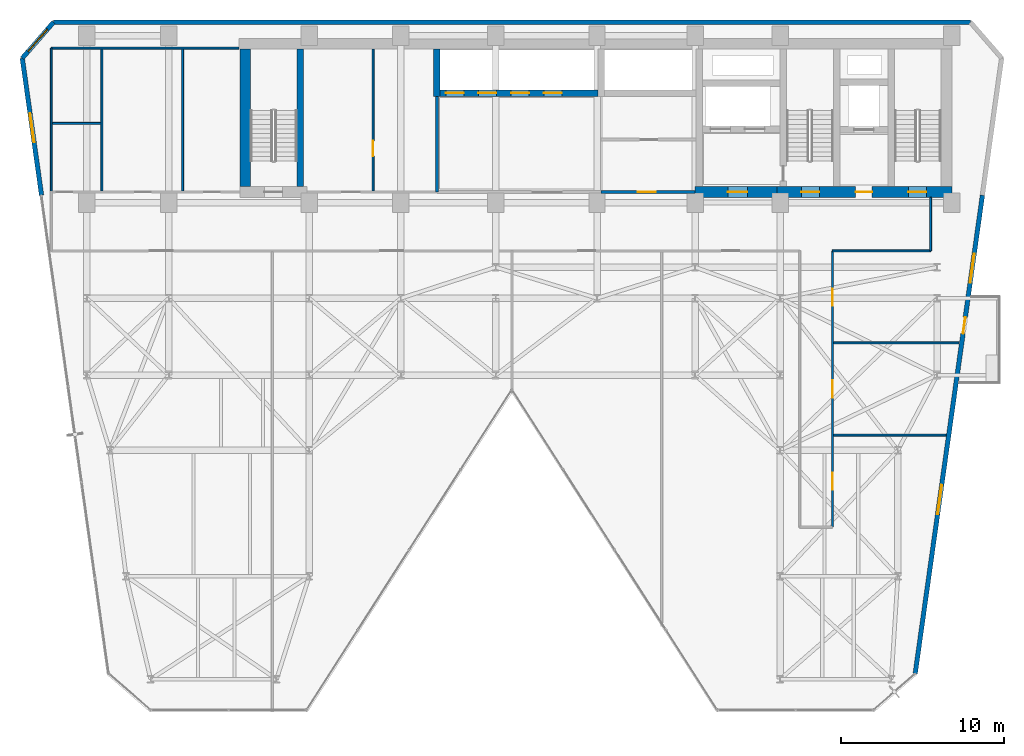
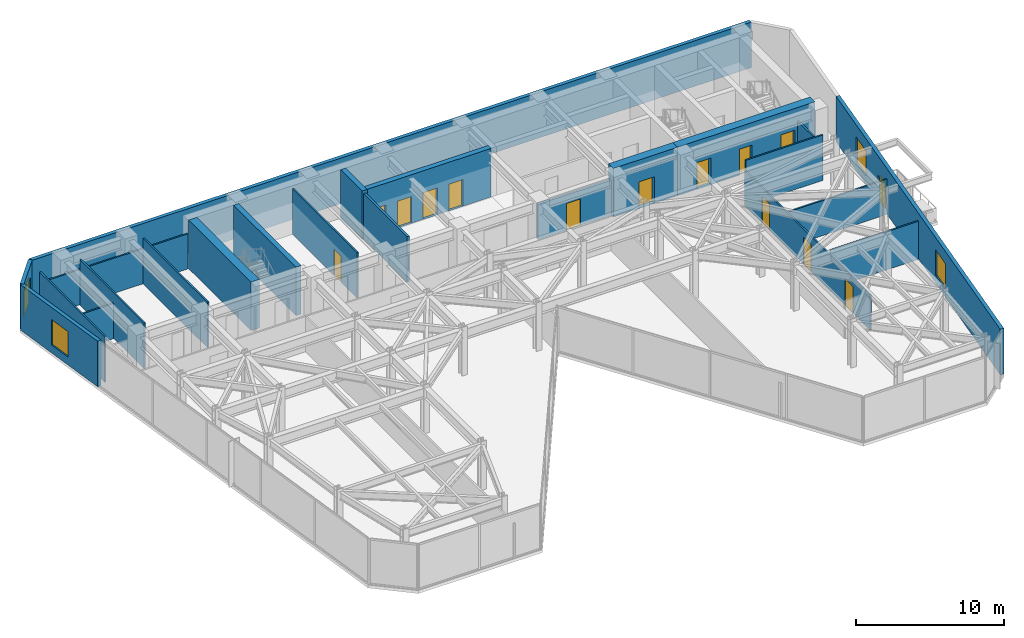
# One storey, part 22 of 26: 23 walls, 14 doors, 4 windows, 18 openings.
"""IFC4 building model written with IfcOpenShell, lengths in metres."""

from ifc_helpers import new_model, si_unit, direction, frame, frame_2d, origin, place, context, subcontext, project, spatial, rectangle, extrude, material, layer, layer_set, type_object, element, fill, save


model = new_model("IFC4")

# Units and contexts
model_context = context("Model", 3, precision=1e-05, world=origin(), true_north=direction((0.0, 1.0)))
body_context = subcontext(model_context, "Body", "Model", "MODEL_VIEW")
ifc_project = project(units=[si_unit("LENGTHUNIT", "METRE"), si_unit("AREAUNIT", "SQUARE_METRE"), si_unit("VOLUMEUNIT", "CUBIC_METRE"), si_unit("PLANEANGLEUNIT", "RADIAN"), si_unit("MASSUNIT", "GRAM", prefix="KILO")], contexts=[model_context])

# Site, building, storey
site_placement = place(None, origin())
site = spatial("IfcSite", under=ifc_project, at=site_placement, CompositionType="ELEMENT")
building_placement = place(site_placement, origin())
building = spatial("IfcBuilding", under=site, at=building_placement, Name="Kravanh Interchange Tower", CompositionType="ELEMENT")
storey_placement = place(building_placement, frame((0.0, 0.0, 108.0)))
storey = spatial("IfcBuildingStorey", under=building, at=storey_placement, Name="L25", CompositionType="ELEMENT", Elevation=108.0)

# Wall, opening, door
ifc_material_1 = material(Name="Double Acoustic Gypsum Board and Mineral Wool")
ifc_layer_1 = layer(ifc_material_1, 0.1201171875)
ifc_layer_set_1 = layer_set([ifc_layer_1], Name="Acoustic Office Drywall Partition 120mm")
wall_type_1 = type_object("IfcWallType", Name="Acoustic Office Drywall Partition 120mm", PredefinedType="PARTITIONING", material=ifc_layer_set_1)
wall_1_placement = place(storey_placement, frame((31.10009765625, 38.068115234375, 0.0), z_axis=(0.0, 0.0, 1.0), x_axis=(0.0, 1.0, 0.0)))
wall_1 = element("IfcWall", 1, at=wall_1_placement, inside=storey, type_object=wall_type_1, Name="L25 Interior Partition 5", PredefinedType="PARTITIONING", context=body_context, shape_type="SweptSolid", body=[
    extrude(rectangle(XDim=8.673828125, YDim=0.1201171875, at=frame_2d((4.3369140625, 0.0))), origin(), (0.0, 0.0, 1.0), 3.75),
])
opening_1_placement = place(wall_1_placement, frame((2.115966796875, 0.0, 0.0)))
opening_1 = element("IfcOpeningElement", 2, at=opening_1_placement, cuts=wall_1, Name="Opening D-95", PredefinedType="OPENING", context=body_context, shape_type="SweptSolid", body=[
    extrude(rectangle(XDim=0.949951171875, YDim=2.14990234375, at=frame_2d((0.47509765625, 1.074951171875))), frame((0.0, 0.070068359375, 0.0), z_axis=(0.0, -1.0, 0.0), x_axis=(1.0, 0.0, 0.0)), (0.0, 0.0, 1.0), 0.14013671875),
])
ifc_material_2 = material(Name="Laminate Solid-Core Timber", Category="wood")
door_type_1 = type_object("IfcDoorType", Name="Accessible Restroom Door 950x2150", OperationType="NOTDEFINED", PredefinedType="DOOR", material=ifc_material_2)
door_1_placement = place(opening_1_placement, origin())
door_1 = element("IfcDoor", 3, at=door_1_placement, inside=storey, type_object=door_type_1, Name="L25 Reclaimed Archive Inner Door", OperationType="SINGLE_SWING_LEFT", OverallHeight=2.14990234375, OverallWidth=0.949951171875, PredefinedType="DOOR", context=body_context, shape_type="SweptSolid", body=[
    extrude(rectangle(XDim=0.949951171875, YDim=2.14990234375, at=frame_2d((0.47509765625, 1.074951171875))), frame((0.0, 0.02490234375, 0.0), z_axis=(0.0, -1.0, 0.0), x_axis=(1.0, 0.0, 0.0)), (0.0, 0.0, 1.0), 0.050048828125),
])
fill(opening_1, door_1)

# Walls
wall_2_placement = place(storey_placement, frame((11.419921875, 38.0, 0.0), z_axis=(0.0, 0.0, 1.0), x_axis=(0.0, 1.0, 0.0)))
element("IfcWall", 4, at=wall_2_placement, inside=storey, type_object=wall_type_1, Name="L25 Restroom West Enclosure 8", PredefinedType="PARTITIONING", context=body_context, shape_type="SweptSolid", body=[
    extrude(rectangle(XDim=8.800048828125, YDim=0.1201171875, at=frame_2d((4.39990234375, 0.0))), origin(), (0.0, 0.0, 1.0), 3.75),
])
wall_3_placement = place(storey_placement, frame((11.419921875, 46.800048828125, 0.0), z_axis=(0.0, 0.0, 1.0), x_axis=(1.0, 0.0, 0.0)))
element("IfcWall", 5, at=wall_3_placement, inside=storey, type_object=wall_type_1, Name="L25 Restroom North Enclosure 9", PredefinedType="PARTITIONING", context=body_context, shape_type="SweptSolid", body=[
    extrude(rectangle(XDim=11.47998046875, YDim=0.1201171875, at=frame_2d((5.739990234375, 0.0))), origin(), (0.0, 0.0, 1.0), 2.89404296875),
])
for number, where, z_axis, x_axis, name in (
    (6, (14.52001953125, 38.068115234375, 0.0), (0.0, 0.0, 1.0), (0.0, 1.0, 0.0), "L25 Interior Partition 10"),
    (7, (19.449951171875, 38.068115234375, 0.0), (0.0, 0.0, 1.0), (0.0, 1.0, 0.0), "L25 Interior Partition 11"),
):
    element("IfcWall", number, at=place(storey_placement, frame(where, z_axis=z_axis, x_axis=x_axis)), inside=storey, type_object=wall_type_1, Name=name, PredefinedType="PARTITIONING", context=body_context, shape_type="SweptSolid", body=[
        extrude(rectangle(XDim=8.663818359375, YDim=0.1201171875, at=frame_2d((4.33203125, 0.0))), origin(), (0.0, 0.0, 1.0), 3.75),
    ])
wall_4_placement = place(storey_placement, frame((11.488037109375, 42.199951171875, 0.0), z_axis=(0.0, 0.0, 1.0), x_axis=(1.0, 0.0, 0.0)))
element("IfcWall", 8, at=wall_4_placement, inside=storey, type_object=wall_type_1, Name="L25 Interior Partition 12", PredefinedType="PARTITIONING", context=body_context, shape_type="SweptSolid", body=[
    extrude(rectangle(XDim=2.9638671875, YDim=0.1201171875, at=frame_2d((1.48193359375, 0.0))), origin(), (0.0, 0.0, 1.0), 2.89404296875),
])
wall_5_placement = place(storey_placement, frame((59.199951171875, 34.39990234375, 0.0), z_axis=(0.0, 0.0, 1.0), x_axis=(1.0, 0.0, 0.0)))
element("IfcWall", 9, at=wall_5_placement, inside=storey, type_object=wall_type_1, Name="L25 Interior Partition 15", PredefinedType="PARTITIONING", context=body_context, shape_type="SweptSolid", body=[
    extrude(rectangle(XDim=6.0, YDim=0.1201171875, at=frame_2d((3.0, 0.0))), origin(), (0.0, 0.0, 1.0), 3.75),
])
wall_6_placement = place(storey_placement, frame((65.199951171875, 34.39990234375, 0.0), z_axis=(0.0, 0.0, 1.0), x_axis=(0.0, 1.0, 0.0)))
element("IfcWall", 10, at=wall_6_placement, inside=storey, type_object=wall_type_1, Name="L25 Interior Partition 17", PredefinedType="PARTITIONING", context=body_context, shape_type="SweptSolid", body=[
    extrude(rectangle(XDim=3.26708984375, YDim=0.1201171875, at=frame_2d((1.633544921875, 0.0))), origin(), (0.0, 0.0, 1.0), 2.89404296875),
])

# Wall, openings, doors
wall_7_placement = place(storey_placement, frame((59.199951171875, 17.5, 0.0), z_axis=(0.0, 0.0, 1.0), x_axis=(0.0, 1.0, 0.0)))
wall_7 = element("IfcWall", 11, at=wall_7_placement, inside=storey, type_object=wall_type_1, Name="L25 Interior Partition 19", PredefinedType="PARTITIONING", context=body_context, shape_type="SweptSolid", body=[
    extrude(rectangle(XDim=16.89990234375, YDim=0.1201171875, at=frame_2d((8.449951171875, 0.0))), origin(), (0.0, 0.0, 1.0), 2.89404296875),
])
opening_2_placement = place(wall_7_placement, frame((2.2900390625, 0.0, 0.0)))
opening_2 = element("IfcOpeningElement", 12, at=opening_2_placement, cuts=wall_7, Name="Opening D-105", PredefinedType="OPENING", context=body_context, shape_type="SweptSolid", body=[
    extrude(rectangle(XDim=1.050048828125, YDim=2.199951171875, at=frame_2d((0.52490234375, 1.10009765625))), frame((0.0, 0.070068359375, 0.0), z_axis=(0.0, -1.0, 0.0), x_axis=(1.0, 0.0, 0.0)), (0.0, 0.0, 1.0), 0.14013671875),
])
opening_3_placement = place(wall_7_placement, frame((7.925048828125, 0.0, 0.0)))
opening_3 = element("IfcOpeningElement", 13, at=opening_3_placement, cuts=wall_7, Name="Opening D-105", PredefinedType="OPENING", context=body_context, shape_type="SweptSolid", body=[
    extrude(rectangle(XDim=1.050048828125, YDim=2.199951171875, at=frame_2d((0.52490234375, 1.10009765625))), frame((0.0, 0.070068359375, 0.0), z_axis=(0.0, -1.0, 0.0), x_axis=(1.0, 0.0, 0.0)), (0.0, 0.0, 1.0), 0.14013671875),
])
opening_4_placement = place(wall_7_placement, frame((13.534912109375, 0.0, 0.0)))
opening_4 = element("IfcOpeningElement", 14, at=opening_4_placement, cuts=wall_7, Name="Opening D-105", PredefinedType="OPENING", context=body_context, shape_type="SweptSolid", body=[
    extrude(rectangle(XDim=1.050048828125, YDim=2.199951171875, at=frame_2d((0.52490234375, 1.10009765625))), frame((0.0, 0.070068359375, 0.0), z_axis=(0.0, -1.0, 0.0), x_axis=(1.0, 0.0, 0.0)), (0.0, 0.0, 1.0), 0.14013671875),
])
ifc_material_3 = material(Name="Acoustic Glazed Oak and Aluminium", Category="aluminium")
door_type_2 = type_object("IfcDoorType", Name="Office Workplace Door 1050x2200", OperationType="NOTDEFINED", PredefinedType="DOOR", material=ifc_material_3)
door_2_placement = place(opening_2_placement, origin())
door_2 = element("IfcDoor", 15, at=door_2_placement, inside=storey, type_object=door_type_2, Name="L25 SE Huddle Meeting C Door", OperationType="SINGLE_SWING_LEFT", OverallHeight=2.199951171875, OverallWidth=1.050048828125, PredefinedType="DOOR", context=body_context, shape_type="SweptSolid", body=[
    extrude(rectangle(XDim=1.050048828125, YDim=2.199951171875, at=frame_2d((0.52490234375, 1.10009765625))), frame((0.0, 0.02490234375, 0.0), z_axis=(0.0, -1.0, 0.0), x_axis=(1.0, 0.0, 0.0)), (0.0, 0.0, 1.0), 0.050048828125),
])
fill(opening_2, door_2)
door_3_placement = place(opening_3_placement, origin())
door_3 = element("IfcDoor", 16, at=door_3_placement, inside=storey, type_object=door_type_2, Name="L25 East Balcony Office Door", OperationType="SINGLE_SWING_RIGHT", OverallHeight=2.199951171875, OverallWidth=1.050048828125, PredefinedType="DOOR", context=body_context, shape_type="SweptSolid", body=[
    extrude(rectangle(XDim=1.050048828125, YDim=2.199951171875, at=frame_2d((0.52490234375, 1.10009765625))), frame((0.0, 0.02490234375, 0.0), z_axis=(0.0, -1.0, 0.0), x_axis=(1.0, 0.0, 0.0)), (0.0, 0.0, 1.0), 0.050048828125),
])
fill(opening_3, door_3)
door_4_placement = place(opening_4_placement, origin())
door_4 = element("IfcDoor", 17, at=door_4_placement, inside=storey, type_object=door_type_2, Name="L25 Pantry Kitchenette Door", OperationType="SINGLE_SWING_LEFT", OverallHeight=2.199951171875, OverallWidth=1.050048828125, PredefinedType="DOOR", context=body_context, shape_type="SweptSolid", body=[
    extrude(rectangle(XDim=1.050048828125, YDim=2.199951171875, at=frame_2d((0.52490234375, 1.10009765625))), frame((0.0, 0.02490234375, 0.0), z_axis=(0.0, -1.0, 0.0), x_axis=(1.0, 0.0, 0.0)), (0.0, 0.0, 1.0), 0.050048828125),
])
fill(opening_4, door_4)

# Walls
wall_8_placement = place(storey_placement, frame((59.26806640625, 23.1298828125, 0.0), z_axis=(0.0, 0.0, 1.0), x_axis=(1.0, 0.0, 0.0)))
element("IfcWall", 18, at=wall_8_placement, inside=storey, type_object=wall_type_1, Name="L25 Interior Partition 21", PredefinedType="PARTITIONING", context=body_context, shape_type="SweptSolid", body=[
    extrude(rectangle(XDim=6.87841796875, YDim=0.1201171875, at=frame_2d((3.439208984375, 0.0))), origin(), (0.0, 0.0, 1.0), 3.14208984375),
])
wall_9_placement = place(storey_placement, frame((59.26806640625, 28.77001953125, 0.0), z_axis=(0.0, 0.0, 1.0), x_axis=(1.0, 0.0, 0.0)))
element("IfcWall", 19, at=wall_9_placement, inside=storey, type_object=wall_type_1, Name="L25 Interior Partition 22", PredefinedType="PARTITIONING", context=body_context, shape_type="SweptSolid", body=[
    extrude(rectangle(XDim=7.671142578125, YDim=0.1201171875, at=frame_2d((3.83544921875, 0.0))), origin(), (0.0, 0.0, 1.0), 2.89404296875),
])

# Wall, openings, doors
ifc_material_4 = material(Name="Concrete C70/85", Category="concrete")
ifc_layer_2 = layer(ifc_material_4, 0.64990234375)
ifc_layer_set_2 = layer_set([ifc_layer_2], Name="Core Shear Wall Concrete C70/85 650mm")
wall_type_2 = type_object("IfcWallType", Name="Core Shear Wall Concrete C70/85 650mm", PredefinedType="SHEAR", material=ifc_layer_set_2)
wall_10_placement = place(storey_placement, frame((55.800048828125, 38.0, 0.0), z_axis=(0.0, 0.0, 1.0), x_axis=(1.0, 0.0, 0.0)))
wall_10 = element("IfcWall", 20, at=wall_10_placement, inside=storey, type_object=wall_type_2, Name="L25 East Core South Shear Wall", PredefinedType="SHEAR", context=body_context, shape_type="SweptSolid", body=[
    extrude(rectangle(XDim=10.699951171875, YDim=0.64990234375, at=frame_2d((5.35009765625, 0.0))), origin(), (0.0, 0.0, 1.0), 4.0),
])
opening_5_placement = place(wall_10_placement, frame((1.5, 0.0, 0.0)))
opening_5 = element("IfcOpeningElement", 21, at=opening_5_placement, cuts=wall_10, Name="Opening D-STAIR-110", PredefinedType="OPENING", context=body_context, shape_type="SweptSolid", body=[
    extrude(rectangle(XDim=1.10009765625, YDim=2.199951171875, at=frame_2d((0.550048828125, 1.10009765625))), frame((0.0, 0.3349609375, 0.0), z_axis=(0.0, -1.0, 0.0), x_axis=(1.0, 0.0, 0.0)), (0.0, 0.0, 1.0), 0.669921875),
])
opening_6_placement = place(wall_10_placement, frame((4.820068359375, 0.0, 0.0)))
opening_6 = element("IfcOpeningElement", 22, at=opening_6_placement, cuts=wall_10, Name="Opening D-HOTEL-100", PredefinedType="OPENING", context=body_context, shape_type="SweptSolid", body=[
    extrude(rectangle(XDim=1.0, YDim=2.14990234375, at=frame_2d((0.5, 1.074951171875))), frame((0.0, 0.3349609375, 0.0), z_axis=(0.0, -1.0, 0.0), x_axis=(1.0, 0.0, 0.0)), (0.0, 0.0, 1.0), 0.669921875),
])
opening_7_placement = place(wall_10_placement, frame((8.050048828125, 0.0, 0.0)))
opening_7 = element("IfcOpeningElement", 23, at=opening_7_placement, cuts=wall_10, Name="Opening D-STAIR-110", PredefinedType="OPENING", context=body_context, shape_type="SweptSolid", body=[
    extrude(rectangle(XDim=1.10009765625, YDim=2.199951171875, at=frame_2d((0.550048828125, 1.10009765625))), frame((0.0, 0.3349609375, 0.0), z_axis=(0.0, -1.0, 0.0), x_axis=(1.0, 0.0, 0.0)), (0.0, 0.0, 1.0), 0.669921875),
])
ifc_material_5 = material(Name="Structural Steel S355", Category="steel")
door_type_3 = type_object("IfcDoorType", Name="Fire-Rated Exit Stair Door 1100x2200", OperationType="NOTDEFINED", PredefinedType="DOOR", material=ifc_material_5)
door_5_placement = place(opening_5_placement, origin())
door_5 = element("IfcDoor", 24, at=door_5_placement, inside=storey, type_object=door_type_3, Name="L25 Exit Stair ST2 Door", OperationType="SINGLE_SWING_RIGHT", OverallHeight=2.199951171875, OverallWidth=1.10009765625, PredefinedType="DOOR", context=body_context, shape_type="SweptSolid", body=[
    extrude(rectangle(XDim=1.10009765625, YDim=2.199951171875, at=frame_2d((0.550048828125, 1.10009765625))), frame((0.0, 0.02490234375, 0.0), z_axis=(0.0, -1.0, 0.0), x_axis=(1.0, 0.0, 0.0)), (0.0, 0.0, 1.0), 0.050048828125),
])
fill(opening_5, door_5)
door_6_placement = place(opening_7_placement, origin())
door_6 = element("IfcDoor", 25, at=door_6_placement, inside=storey, type_object=door_type_3, Name="L25 Exit Stair ST1 Door", OperationType="SINGLE_SWING_RIGHT", OverallHeight=2.199951171875, OverallWidth=1.10009765625, PredefinedType="DOOR", context=body_context, shape_type="SweptSolid", body=[
    extrude(rectangle(XDim=1.10009765625, YDim=2.199951171875, at=frame_2d((0.550048828125, 1.10009765625))), frame((0.0, 0.02490234375, 0.0), z_axis=(0.0, -1.0, 0.0), x_axis=(1.0, 0.0, 0.0)), (0.0, 0.0, 1.0), 0.050048828125),
])
fill(opening_7, door_6)
ifc_material_6 = material(Name="Fire-Rated Solid Timber Leaf", Category="wood")
door_type_4 = type_object("IfcDoorType", Name="Fire-Rated Suite Entrance Door 1000x2150", OperationType="NOTDEFINED", PredefinedType="DOOR", material=ifc_material_6)
door_7_placement = place(opening_6_placement, origin())
door_7 = element("IfcDoor", 26, at=door_7_placement, inside=storey, type_object=door_type_4, Name="L25 Service Lift Lobby Door", OperationType="SINGLE_SWING_RIGHT", OverallHeight=2.14990234375, OverallWidth=1.0, PredefinedType="DOOR", context=body_context, shape_type="SweptSolid", body=[
    extrude(rectangle(XDim=1.0, YDim=2.14990234375, at=frame_2d((0.5, 1.074951171875))), frame((0.0, 0.02490234375, 0.0), z_axis=(0.0, -1.0, 0.0), x_axis=(1.0, 0.0, 0.0)), (0.0, 0.0, 1.0), 0.050048828125),
])
fill(opening_6, door_7)

# Wall, opening, door
wall_11_placement = place(storey_placement, frame((50.800048828125, 38.0, 0.0), z_axis=(0.0, 0.0, 1.0), x_axis=(1.0, 0.0, 0.0)))
wall_11 = element("IfcWall", 27, at=wall_11_placement, inside=storey, type_object=wall_type_2, Name="L25 Firefighting Lobby South Shear Wall", PredefinedType="SHEAR", context=body_context, shape_type="SweptSolid", body=[
    extrude(rectangle(XDim=5.0, YDim=0.64990234375, at=frame_2d((2.5, 0.0))), origin(), (0.0, 0.0, 1.0), 4.0),
])
opening_8_placement = place(wall_11_placement, frame((2.0, 0.0, 0.0)))
opening_8 = element("IfcOpeningElement", 28, at=opening_8_placement, cuts=wall_11, Name="Opening D-FSAE-120", PredefinedType="OPENING", context=body_context, shape_type="SweptSolid", body=[
    extrude(rectangle(XDim=1.199951171875, YDim=2.199951171875, at=frame_2d((0.60009765625, 1.10009765625))), frame((0.0, 0.3349609375, 0.0), z_axis=(0.0, -1.0, 0.0), x_axis=(1.0, 0.0, 0.0)), (0.0, 0.0, 1.0), 0.669921875),
])
ifc_material_7 = material(Name="Structural Steel S355", Category="steel")
door_type_5 = type_object("IfcDoorType", Name="Fire-Rated Refuge and FSAE Door 1200x2200", OperationType="NOTDEFINED", PredefinedType="DOOR", material=ifc_material_7)
door_8_placement = place(opening_8_placement, origin())
door_8 = element("IfcDoor", 29, at=door_8_placement, inside=storey, type_object=door_type_5, Name="L25 Firefighting Lobby Corridor Door", OperationType="SINGLE_SWING_RIGHT", OverallHeight=2.199951171875, OverallWidth=1.199951171875, PredefinedType="DOOR", context=body_context, shape_type="SweptSolid", body=[
    extrude(rectangle(XDim=1.199951171875, YDim=2.199951171875, at=frame_2d((0.60009765625, 1.10009765625))), frame((0.0, 0.02490234375, 0.0), z_axis=(0.0, -1.0, 0.0), x_axis=(1.0, 0.0, 0.0)), (0.0, 0.0, 1.0), 0.050048828125),
])
fill(opening_8, door_8)

# Wall
wall_12_placement = place(storey_placement, frame((23.27490234375, 38.324951171875, 0.0), z_axis=(0.0, 0.0, 1.0), x_axis=(0.0, 1.0, 0.0)))
element("IfcWall", 30, at=wall_12_placement, inside=storey, type_object=wall_type_2, Name="L25 Stair ST3 West Shear Wall", PredefinedType="SHEAR", context=body_context, shape_type="SweptSolid", body=[
    extrude(rectangle(XDim=8.425048828125, YDim=0.64990234375, at=frame_2d((4.21240234375, 0.0))), origin(), (0.0, 0.0, 1.0), 4.0),
])

# Wall, openings, doors
ifc_material_8 = material(Name="Concrete C80/95", Category="concrete")
ifc_layer_3 = layer(ifc_material_8, 0.39990234375)
ifc_layer_set_3 = layer_set([ifc_layer_3], Name="Core Shear Wall Concrete C80/95 400mm")
wall_type_3 = type_object("IfcWallType", Name="Core Shear Wall Concrete C80/95 400mm", PredefinedType="SHEAR", material=ifc_layer_set_3)
wall_13_placement = place(storey_placement, frame((35.199951171875, 44.050048828125, 0.0), z_axis=(0.0, 0.0, 1.0), x_axis=(1.0, 0.0, 0.0)))
wall_13 = element("IfcWall", 31, at=wall_13_placement, inside=storey, type_object=wall_type_3, Name="L25 Mid-Rise Lift Shaft South Wall", PredefinedType="SHEAR", context=body_context, shape_type="SweptSolid", body=[
    extrude(rectangle(XDim=9.650146484375, YDim=0.39990234375, at=frame_2d((4.8251953125, 0.0))), origin(), (0.0, 0.0, 1.0), 4.0),
])
opening_9_placement = place(wall_13_placement, frame((0.35009765625, 0.0, 0.0)))
opening_9 = element("IfcOpeningElement", 32, at=opening_9_placement, cuts=wall_13, Name="Opening LD01", PredefinedType="OPENING", context=body_context, shape_type="SweptSolid", body=[
    extrude(rectangle(XDim=1.10009765625, YDim=2.199951171875, at=frame_2d((0.550048828125, 1.10009765625))), frame((0.0, 0.2099609375, 0.0), z_axis=(0.0, -1.0, 0.0), x_axis=(1.0, 0.0, 0.0)), (0.0, 0.0, 1.0), 0.419921875),
])
opening_10_placement = place(wall_13_placement, frame((2.35009765625, 0.0, 0.0)))
opening_10 = element("IfcOpeningElement", 33, at=opening_10_placement, cuts=wall_13, Name="Opening LD01", PredefinedType="OPENING", context=body_context, shape_type="SweptSolid", body=[
    extrude(rectangle(XDim=1.10009765625, YDim=2.199951171875, at=frame_2d((0.550048828125, 1.10009765625))), frame((0.0, 0.2099609375, 0.0), z_axis=(0.0, -1.0, 0.0), x_axis=(1.0, 0.0, 0.0)), (0.0, 0.0, 1.0), 0.419921875),
])
opening_11_placement = place(wall_13_placement, frame((4.35009765625, 0.0, 0.0)))
opening_11 = element("IfcOpeningElement", 34, at=opening_11_placement, cuts=wall_13, Name="Opening LD01", PredefinedType="OPENING", context=body_context, shape_type="SweptSolid", body=[
    extrude(rectangle(XDim=1.10009765625, YDim=2.199951171875, at=frame_2d((0.550048828125, 1.10009765625))), frame((0.0, 0.2099609375, 0.0), z_axis=(0.0, -1.0, 0.0), x_axis=(1.0, 0.0, 0.0)), (0.0, 0.0, 1.0), 0.419921875),
])
opening_12_placement = place(wall_13_placement, frame((6.35009765625, 0.0, 0.0)))
opening_12 = element("IfcOpeningElement", 35, at=opening_12_placement, cuts=wall_13, Name="Opening LD01", PredefinedType="OPENING", context=body_context, shape_type="SweptSolid", body=[
    extrude(rectangle(XDim=1.10009765625, YDim=2.199951171875, at=frame_2d((0.550048828125, 1.10009765625))), frame((0.0, 0.2099609375, 0.0), z_axis=(0.0, -1.0, 0.0), x_axis=(1.0, 0.0, 0.0)), (0.0, 0.0, 1.0), 0.419921875),
])
ifc_material_9 = material(Name="Stainless Steel 304", Category="steel")
door_type_6 = type_object("IfcDoorType", Name="Passenger Lift Sliding Landing Door 1100x2200", OperationType="DOUBLE_DOOR_SLIDING", PredefinedType="DOOR", material=ifc_material_9)
door_9_placement = place(opening_9_placement, origin())
door_9 = element("IfcDoor", 36, at=door_9_placement, inside=storey, type_object=door_type_6, Name="L25 Lift LP-M1 Landing Door", OperationType="DOUBLE_DOOR_SLIDING", OverallHeight=2.199951171875, OverallWidth=1.10009765625, PredefinedType="DOOR", context=body_context, shape_type="SweptSolid", body=[
    extrude(rectangle(XDim=1.10009765625, YDim=2.199951171875, at=frame_2d((0.550048828125, 1.10009765625))), frame((0.0, 0.02490234375, 0.0), z_axis=(0.0, -1.0, 0.0), x_axis=(1.0, 0.0, 0.0)), (0.0, 0.0, 1.0), 0.050048828125),
])
fill(opening_9, door_9)
door_10_placement = place(opening_10_placement, origin())
door_10 = element("IfcDoor", 37, at=door_10_placement, inside=storey, type_object=door_type_6, Name="L25 Lift LP-M2 Landing Door", OperationType="DOUBLE_DOOR_SLIDING", OverallHeight=2.199951171875, OverallWidth=1.10009765625, PredefinedType="DOOR", context=body_context, shape_type="SweptSolid", body=[
    extrude(rectangle(XDim=1.10009765625, YDim=2.199951171875, at=frame_2d((0.550048828125, 1.10009765625))), frame((0.0, 0.02490234375, 0.0), z_axis=(0.0, -1.0, 0.0), x_axis=(1.0, 0.0, 0.0)), (0.0, 0.0, 1.0), 0.050048828125),
])
fill(opening_10, door_10)
door_11_placement = place(opening_11_placement, origin())
door_11 = element("IfcDoor", 38, at=door_11_placement, inside=storey, type_object=door_type_6, Name="L25 Lift LP-M3 Landing Door", OperationType="DOUBLE_DOOR_SLIDING", OverallHeight=2.199951171875, OverallWidth=1.10009765625, PredefinedType="DOOR", context=body_context, shape_type="SweptSolid", body=[
    extrude(rectangle(XDim=1.10009765625, YDim=2.199951171875, at=frame_2d((0.550048828125, 1.10009765625))), frame((0.0, 0.02490234375, 0.0), z_axis=(0.0, -1.0, 0.0), x_axis=(1.0, 0.0, 0.0)), (0.0, 0.0, 1.0), 0.050048828125),
])
fill(opening_11, door_11)
door_12_placement = place(opening_12_placement, origin())
door_12 = element("IfcDoor", 39, at=door_12_placement, inside=storey, type_object=door_type_6, Name="L25 Lift LP-M4 Landing Door", OperationType="DOUBLE_DOOR_SLIDING", OverallHeight=2.199951171875, OverallWidth=1.10009765625, PredefinedType="DOOR", context=body_context, shape_type="SweptSolid", body=[
    extrude(rectangle(XDim=1.10009765625, YDim=2.199951171875, at=frame_2d((0.550048828125, 1.10009765625))), frame((0.0, 0.02490234375, 0.0), z_axis=(0.0, -1.0, 0.0), x_axis=(1.0, 0.0, 0.0)), (0.0, 0.0, 1.0), 0.050048828125),
])
fill(opening_12, door_12)

# Walls
wall_14_placement = place(storey_placement, frame((35.0, 43.85009765625, 0.0), z_axis=(0.0, 0.0, 1.0), x_axis=(0.0, 1.0, 0.0)))
element("IfcWall", 40, at=wall_14_placement, inside=storey, type_object=wall_type_3, Name="L25 Mid-Rise Lift Shaft West Wall", PredefinedType="SHEAR", context=body_context, shape_type="SweptSolid", body=[
    extrude(rectangle(XDim=2.89990234375, YDim=0.39990234375, at=frame_2d((1.449951171875, 0.0))), origin(), (0.0, 0.0, 1.0), 4.0),
])
wall_15_placement = place(storey_placement, frame((26.64990234375, 38.324951171875, 0.0), z_axis=(0.0, 0.0, 1.0), x_axis=(0.0, 1.0, 0.0)))
element("IfcWall", 41, at=wall_15_placement, inside=storey, type_object=wall_type_3, Name="L25 Stair ST3 East Shear Wall", PredefinedType="SHEAR", context=body_context, shape_type="SweptSolid", body=[
    extrude(rectangle(XDim=8.425048828125, YDim=0.39990234375, at=frame_2d((4.21240234375, 0.0))), origin(), (0.0, 0.0, 1.0), 4.0),
])

# Wall, opening, window
ifc_material_10 = material(Name="Insulated Precast Concrete C40/50 with Bronze Cladding", Category="concrete")
ifc_layer_4 = layer(ifc_material_10, 0.280029296875)
ifc_layer_set_4 = layer_set([ifc_layer_4], Name="Exterior Insulated Concrete C40/50 Bronze Spandrel Wall 280mm")
wall_type_4 = type_object("IfcWallType", Name="Exterior Insulated Concrete C40/50 Bronze Spandrel Wall 280mm", PredefinedType="STANDARD", material=ifc_layer_set_4)
wall_16_placement = place(storey_placement, frame((10.824951171875, 37.800048828125, 0.0), z_axis=(0.0, 0.0, 1.0), x_axis=(-0.139180610108, 0.990267013371, 0.0)))
wall_16 = element("IfcWall", 42, at=wall_16_placement, inside=storey, type_object=wall_type_4, Name="L25 Exterior Wall 1", PredefinedType="STANDARD", context=body_context, shape_type="SweptSolid", body=[
    extrude(rectangle(XDim=8.46728515625, YDim=0.280029296875, at=frame_2d((4.233642578125, 0.0))), origin(), (0.0, 0.0, 1.0), 3.75),
])
opening_13_placement = place(wall_16_placement, frame((3.273193359375, 0.0, 0.64990234375)))
opening_13 = element("IfcOpeningElement", 43, at=opening_13_placement, cuts=wall_16, Name="Opening WN-180X210", PredefinedType="OPENING", context=body_context, shape_type="SweptSolid", body=[
    extrude(rectangle(XDim=1.800048828125, YDim=2.10009765625, at=frame_2d((0.89990234375, 1.050048828125))), frame((0.0, 0.14990234375, 0.0), z_axis=(0.0, -1.0, 0.0), x_axis=(1.0, 0.0, 0.0)), (0.0, 0.0, 1.0), 0.300048828125),
])
ifc_material_11 = material(Name="Thermally Broken Bronze Aluminium and Low-E Glass", Category="aluminium")
window_type = type_object("IfcWindowType", Name="Tower Pier Window 1800x2100", PartitioningType="SINGLE_PANEL", PredefinedType="WINDOW", material=ifc_material_11)
window_1_placement = place(opening_13_placement, origin())
window_1 = element("IfcWindow", 44, at=window_1_placement, inside=storey, type_object=window_type, Name="L25 Corner Window 1", OverallHeight=2.10009765625, OverallWidth=1.800048828125, PartitioningType="SINGLE_PANEL", PredefinedType="WINDOW", context=body_context, shape_type="SweptSolid", body=[
    extrude(rectangle(XDim=1.800048828125, YDim=2.10009765625, at=frame_2d((0.89990234375, 1.050048828125))), frame((0.0, 0.030029296875, 0.0), z_axis=(0.0, -1.0, 0.0), x_axis=(1.0, 0.0, 0.0)), (0.0, 0.0, 1.0), 0.06005859375),
])
fill(opening_13, window_1)

wall_17_placement = place(storey_placement, frame((9.646484375, 46.184814453125, 0.0), z_axis=(0.0, 0.0, 1.0), x_axis=(0.656070644076, 0.754699483226, 0.0)))
wall_17 = element("IfcWall", 45, at=wall_17_placement, inside=storey, type_object=wall_type_4, Name="L25 Exterior Wall 2", PredefinedType="STANDARD", context=body_context, shape_type="SweptSolid", body=[
    extrude(rectangle(XDim=2.908447265625, YDim=0.280029296875, at=frame_2d((1.4541015625, 0.0))), origin(), (0.0, 0.0, 1.0), 3.75),
])
opening_14_placement = place(wall_17_placement, frame((0.541015625, 0.0, 0.64990234375)))
opening_14 = element("IfcOpeningElement", 46, at=opening_14_placement, cuts=wall_17, Name="Opening WN-180X210", PredefinedType="OPENING", context=body_context, shape_type="SweptSolid", body=[
    extrude(rectangle(XDim=1.800048828125, YDim=2.10009765625, at=frame_2d((0.89990234375, 1.050048828125))), frame((0.0, 0.14990234375, 0.0), z_axis=(0.0, -1.0, 0.0), x_axis=(1.0, 0.0, 0.0)), (0.0, 0.0, 1.0), 0.300048828125),
])
window_2_placement = place(opening_14_placement, origin())
window_2 = element("IfcWindow", 47, at=window_2_placement, inside=storey, type_object=window_type, Name="L25 Corner Window 2", OverallHeight=2.10009765625, OverallWidth=1.800048828125, PartitioningType="SINGLE_PANEL", PredefinedType="WINDOW", context=body_context, shape_type="SweptSolid", body=[
    extrude(rectangle(XDim=1.800048828125, YDim=2.10009765625, at=frame_2d((0.89990234375, 1.050048828125))), frame((0.0, 0.030029296875, 0.0), z_axis=(0.0, -1.0, 0.0), x_axis=(1.0, 0.0, 0.0)), (0.0, 0.0, 1.0), 0.06005859375),
])
fill(opening_14, window_2)

# Wall
wall_18_placement = place(storey_placement, frame((11.5546875, 48.3798828125, 0.0), z_axis=(0.0, 0.0, 1.0), x_axis=(1.0, 0.0, 0.0)))
element("IfcWall", 48, at=wall_18_placement, inside=storey, type_object=wall_type_4, Name="L25 Exterior Wall 3", PredefinedType="STANDARD", context=body_context, shape_type="SweptSolid", body=[
    extrude(rectangle(XDim=56.090576171875, YDim=0.280029296875, at=frame_2d((28.04541015625, 0.0))), origin(), (0.0, 0.0, 1.0), 3.75),
])

# Wall, openings, door, windows
wall_19_placement = place(storey_placement, frame((68.375, 37.800048828125, 0.0), z_axis=(0.0, 0.0, 1.0), x_axis=(-0.13917001236, -0.990268502811, 0.0)))
wall_19 = element("IfcWall", 49, at=wall_19_placement, inside=storey, type_object=wall_type_4, Name="L25 Exterior Wall 6", PredefinedType="STANDARD", context=body_context, shape_type="SweptSolid", body=[
    extrude(rectangle(XDim=29.548828125, YDim=0.280029296875, at=frame_2d((14.7744140625, 0.0))), origin(), (0.0, 0.0, 1.0), 3.75),
])
opening_15_placement = place(wall_19_placement, frame((7.540283203125, 0.0, 0.0)))
opening_15 = element("IfcOpeningElement", 50, at=opening_15_placement, cuts=wall_19, Name="Opening ED-BAL100", PredefinedType="OPENING", context=body_context, shape_type="SweptSolid", body=[
    extrude(rectangle(XDim=1.0, YDim=2.14990234375, at=frame_2d((0.5, 1.074951171875))), frame((0.0, 0.14990234375, 0.0), z_axis=(0.0, -1.0, 0.0), x_axis=(1.0, 0.0, 0.0)), (0.0, 0.0, 1.0), 0.300048828125),
])
opening_16_placement = place(wall_19_placement, frame((3.611083984375, 0.0, 0.64990234375)))
opening_16 = element("IfcOpeningElement", 51, at=opening_16_placement, cuts=wall_19, Name="Opening WN-180X210", PredefinedType="OPENING", context=body_context, shape_type="SweptSolid", body=[
    extrude(rectangle(XDim=1.800048828125, YDim=2.10009765625, at=frame_2d((0.89990234375, 1.050048828125))), frame((0.0, 0.14990234375, 0.0), z_axis=(0.0, -1.0, 0.0), x_axis=(1.0, 0.0, 0.0)), (0.0, 0.0, 1.0), 0.300048828125),
])
opening_17_placement = place(wall_19_placement, frame((17.895751953125, 0.0, 0.64990234375)))
opening_17 = element("IfcOpeningElement", 52, at=opening_17_placement, cuts=wall_19, Name="Opening WN-180X210", PredefinedType="OPENING", context=body_context, shape_type="SweptSolid", body=[
    extrude(rectangle(XDim=1.800048828125, YDim=2.10009765625, at=frame_2d((0.89990234375, 1.050048828125))), frame((0.0, 0.14990234375, 0.0), z_axis=(0.0, -1.0, 0.0), x_axis=(1.0, 0.0, 0.0)), (0.0, 0.0, 1.0), 0.300048828125),
])
ifc_material_12 = material(Name="Thermally Broken Bronze Aluminium and Laminated Glass", Category="aluminium")
door_type_7 = type_object("IfcDoorType", Name="Balcony Glazed Door 1000x2150", OperationType="NOTDEFINED", PredefinedType="DOOR", material=ifc_material_12)
door_13_placement = place(opening_15_placement, origin())
door_13 = element("IfcDoor", 53, at=door_13_placement, inside=storey, type_object=door_type_7, Name="L25 E Tree Balcony Access Door", OperationType="SINGLE_SWING_RIGHT", OverallHeight=2.14990234375, OverallWidth=1.0, PredefinedType="DOOR", context=body_context, shape_type="SweptSolid", body=[
    extrude(rectangle(XDim=1.0, YDim=2.14990234375, at=frame_2d((0.5, 1.074951171875))), frame((0.0, 0.02490234375, 0.0), z_axis=(0.0, -1.0, 0.0), x_axis=(1.0, 0.0, 0.0)), (0.0, 0.0, 1.0), 0.050048828125),
])
fill(opening_15, door_13)
window_3_placement = place(opening_16_placement, origin())
window_3 = element("IfcWindow", 54, at=window_3_placement, inside=storey, type_object=window_type, Name="L25 Facade Window 6A", OverallHeight=2.10009765625, OverallWidth=1.800048828125, PartitioningType="SINGLE_PANEL", PredefinedType="WINDOW", context=body_context, shape_type="SweptSolid", body=[
    extrude(rectangle(XDim=1.800048828125, YDim=2.10009765625, at=frame_2d((0.89990234375, 1.050048828125))), frame((0.0, 0.030029296875, 0.0), z_axis=(0.0, -1.0, 0.0), x_axis=(1.0, 0.0, 0.0)), (0.0, 0.0, 1.0), 0.06005859375),
])
fill(opening_16, window_3)
window_4_placement = place(opening_17_placement, origin())
window_4 = element("IfcWindow", 55, at=window_4_placement, inside=storey, type_object=window_type, Name="L25 Facade Window 6B", OverallHeight=2.10009765625, OverallWidth=1.800048828125, PartitioningType="SINGLE_PANEL", PredefinedType="WINDOW", context=body_context, shape_type="SweptSolid", body=[
    extrude(rectangle(XDim=1.800048828125, YDim=2.10009765625, at=frame_2d((0.89990234375, 1.050048828125))), frame((0.0, 0.030029296875, 0.0), z_axis=(0.0, -1.0, 0.0), x_axis=(1.0, 0.0, 0.0)), (0.0, 0.0, 1.0), 0.06005859375),
])
fill(opening_17, window_4)

# Wall, opening, door
ifc_material_13 = material(Name="Autoclaved Aerated Concrete C30/37 Blockwork", Category="masonry")
ifc_layer_5 = layer(ifc_material_13, 0.179931640625)
ifc_layer_set_5 = layer_set([ifc_layer_5], Name="Fire-Rated Lobby and Corridor Wall Concrete C30/37 180mm")
wall_type_5 = type_object("IfcWallType", Name="Fire-Rated Lobby and Corridor Wall Concrete C30/37 180mm", PredefinedType="STANDARD", material=ifc_layer_set_5)
wall_20_placement = place(storey_placement, frame((45.050048828125, 38.0, 0.0), z_axis=(0.0, 0.0, 1.0), x_axis=(1.0, 0.0, 0.0)))
wall_20 = element("IfcWall", 56, at=wall_20_placement, inside=storey, type_object=wall_type_5, Name="L25 Core South Enclosure 1", PredefinedType="STANDARD", context=body_context, shape_type="SweptSolid", body=[
    extrude(rectangle(XDim=5.75, YDim=0.179931640625, at=frame_2d((2.875, 0.0))), origin(), (0.0, 0.0, 1.0), 2.89404296875),
])
opening_18_placement = place(wall_20_placement, frame((2.240478515625, 0.0, 0.0)))
opening_18 = element("IfcOpeningElement", 57, at=opening_18_placement, cuts=wall_20, Name="Opening D-SHAFT-110", PredefinedType="OPENING", context=body_context, shape_type="SweptSolid", body=[
    extrude(rectangle(XDim=1.10009765625, YDim=2.199951171875, at=frame_2d((0.550048828125, 1.10009765625))), frame((0.0, 0.10009765625, 0.0), z_axis=(0.0, -1.0, 0.0), x_axis=(1.0, 0.0, 0.0)), (0.0, 0.0, 1.0), 0.199951171875),
])
ifc_material_14 = material(Name="Fire-Rated Composite Timber Leaf", Category="wood")
door_type_8 = type_object("IfcDoorType", Name="Fire-Rated Core Support Door 1100x2200", OperationType="NOTDEFINED", PredefinedType="DOOR", material=ifc_material_14)
door_14_placement = place(opening_18_placement, origin())
door_14 = element("IfcDoor", 58, at=door_14_placement, inside=storey, type_object=door_type_8, Name="L25 Core Telecom Room Door", OperationType="SINGLE_SWING_LEFT", OverallHeight=2.199951171875, OverallWidth=1.10009765625, PredefinedType="DOOR", context=body_context, shape_type="SweptSolid", body=[
    extrude(rectangle(XDim=1.10009765625, YDim=2.199951171875, at=frame_2d((0.550048828125, 1.10009765625))), frame((0.0, 0.02490234375, 0.0), z_axis=(0.0, -1.0, 0.0), x_axis=(1.0, 0.0, 0.0)), (0.0, 0.0, 1.0), 0.050048828125),
])
fill(opening_18, door_14)

# Wall
wall_21_placement = place(storey_placement, frame((35.0, 38.0, 0.0), z_axis=(0.0, 0.0, 1.0), x_axis=(0.0, 1.0, 0.0)))
element("IfcWall", 59, at=wall_21_placement, inside=storey, type_object=wall_type_5, Name="L25 Interior Partition 4", PredefinedType="STANDARD", context=body_context, shape_type="SweptSolid", body=[
    extrude(rectangle(XDim=5.85009765625, YDim=0.179931640625, at=frame_2d((2.925048828125, 0.0))), origin(), (0.0, 0.0, 1.0), 3.75),
])

save(model, "model.ifc")
